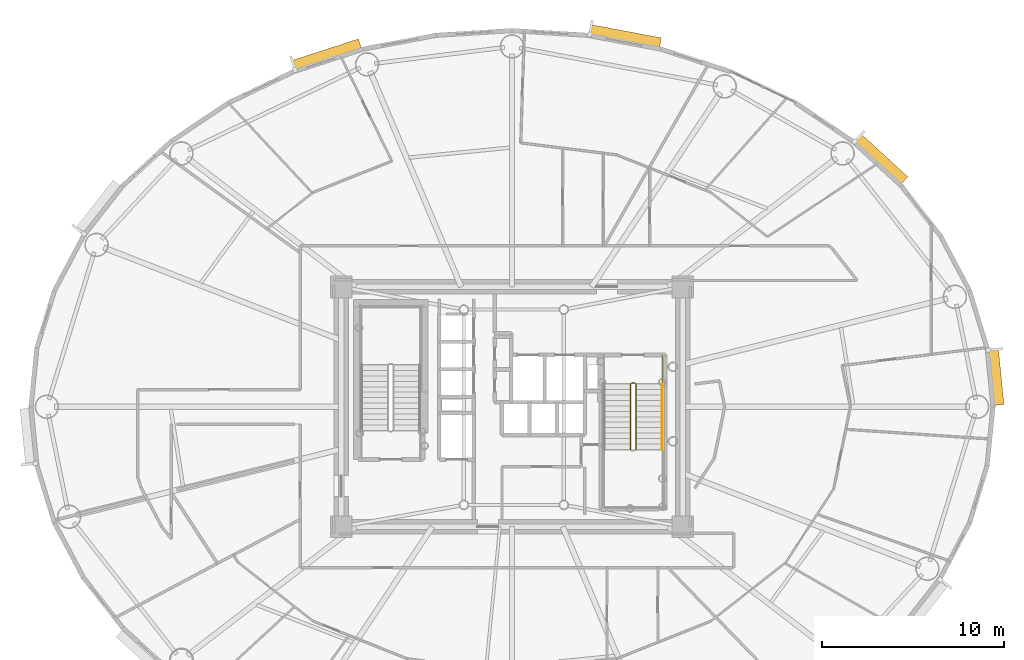
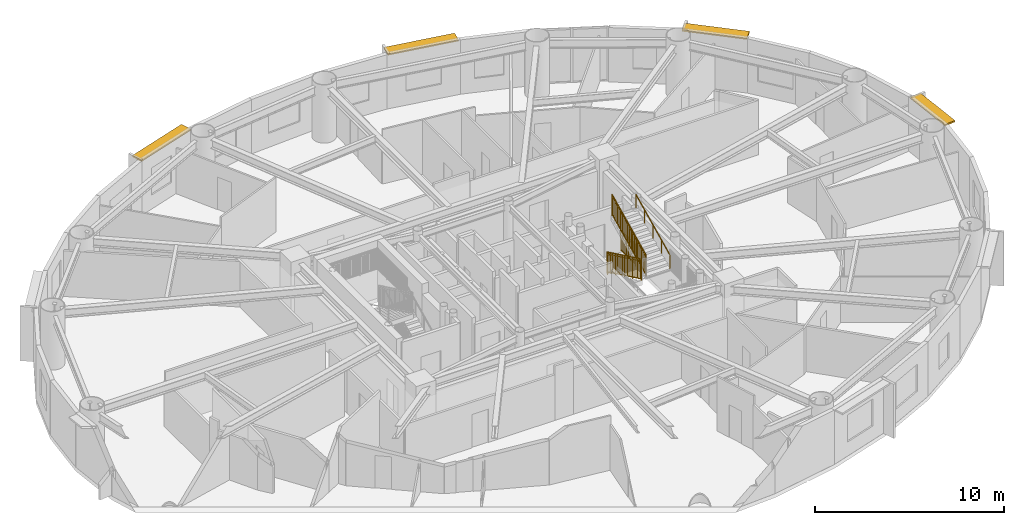
# One storey, part 17 of 17: 5 railings, 4 shading devices.
"""IFC4 building model written with IfcOpenShell, lengths in metres."""

from ifc_helpers import new_model, si_unit, direction, frame, origin, origin_2d, place, context, subcontext, project, spatial, rectangle, extrude, source, transform, mapped, material, layer, layer_set, type_object, element, save


model = new_model("IFC4")

# Units and contexts
model_context = context("Model", 3, precision=1e-05, world=origin(), true_north=direction((0.0, 1.0)))
body_context = subcontext(model_context, "Body", "Model", "MODEL_VIEW")
ifc_project = project(units=[si_unit("LENGTHUNIT", "METRE"), si_unit("AREAUNIT", "SQUARE_METRE"), si_unit("VOLUMEUNIT", "CUBIC_METRE"), si_unit("PLANEANGLEUNIT", "RADIAN"), si_unit("MASSUNIT", "GRAM", prefix="KILO")], contexts=[model_context])

# Site, building, storey
site_placement = place(None, origin())
site = spatial("IfcSite", under=ifc_project, at=site_placement, CompositionType="ELEMENT")
building_placement = place(site_placement, origin())
building = spatial("IfcBuilding", under=site, at=building_placement, Name="Linh Dai School and Residence Tower", CompositionType="ELEMENT")
storey_placement = place(building_placement, frame((0.0, 0.0, 197.39990234375)))
storey = spatial("IfcBuildingStorey", under=building, at=storey_placement, Name="L48", CompositionType="ELEMENT", Elevation=197.39990234375)

# Shading devices
ifc_material_1 = material(Name="Terracotta Ceramic Sunshade", Category="masonry")
ifc_layer = layer(ifc_material_1, 0.10009765625)
ifc_layer_set = layer_set([ifc_layer], Name="Terracotta Ceramic Sunshade")
shading_device_type = type_object("IfcShadingDeviceType", Name="SHD-TC-650", PredefinedType="USERDEFINED", material=ifc_layer_set)
shared_shape_1 = source(origin(), body_context, "Body", "SweptSolid", [
    extrude(rectangle(XDim=3.1201171875, YDim=0.64990234375, at=origin_2d()), origin(), (0.0, 0.0, 1.0), 0.10009765625),
])
shading_device_1_placement = place(storey_placement, frame((62.59619140625, 28.645263671875, 3.380126953125), z_axis=(0.0, 0.0, 1.0), x_axis=(0.100001796141, -0.994987256586, 0.0)))
element("IfcShadingDevice", 1, at=shading_device_1_placement, inside=storey, type_object=shading_device_type, Name="L48 Terracotta Horizontal Sunshade Band 01", ObjectType="SUNSHADE", PredefinedType="USERDEFINED", context=body_context, shape_type="MappedRepresentation", body=[
    mapped(shared_shape_1, transform((0.0, 0.0, 0.0), x_axis=(1.0, 0.0, 0.0), y_axis=(0.0, 1.0, 0.0), z_axis=(0.0, 0.0, 1.0), scale=1.0)),
])
shared_shape_2 = source(origin(), body_context, "Body", "SweptSolid", [
    extrude(rectangle(XDim=3.51171875, YDim=0.64990234375, at=origin_2d()), origin(), (0.0, 0.0, 1.0), 0.10009765625),
])
shading_device_2_placement = place(storey_placement, frame((56.272705078125, 40.604736328125, 3.380126953125), z_axis=(0.0, 0.0, 1.0), x_axis=(0.737085029426, -0.67580001435, 0.0)))
element("IfcShadingDevice", 2, at=shading_device_2_placement, inside=storey, type_object=shading_device_type, Name="L48 Terracotta Horizontal Sunshade Band 05", ObjectType="SUNSHADE", PredefinedType="USERDEFINED", context=body_context, shape_type="MappedRepresentation", body=[
    mapped(shared_shape_2, transform((0.0, 0.0, 0.0), x_axis=(1.0, 0.0, 0.0), y_axis=(0.0, 1.0, 0.0), z_axis=(0.0, 0.0, 1.0), scale=1.0)),
])
shared_shape_3 = source(origin(), body_context, "Body", "SweptSolid", [
    extrude(rectangle(XDim=3.949462890625, YDim=0.64990234375, at=origin_2d()), origin(), (0.0, 0.0, 1.0), 0.10009765625),
])
shading_device_3_placement = place(storey_placement, frame((42.219970703125, 47.349609375, 3.380126953125), z_axis=(0.0, 0.0, 1.0), x_axis=(0.982783192645, -0.184762540184, 0.0)))
element("IfcShadingDevice", 3, at=shading_device_3_placement, inside=storey, type_object=shading_device_type, Name="L48 Terracotta Horizontal Sunshade Band 09", ObjectType="SUNSHADE", PredefinedType="USERDEFINED", context=body_context, shape_type="MappedRepresentation", body=[
    mapped(shared_shape_3, transform((0.0, 0.0, 0.0), x_axis=(1.0, 0.0, 0.0), y_axis=(0.0, 1.0, 0.0), z_axis=(0.0, 0.0, 1.0), scale=1.0)),
])
shared_shape_4 = source(origin(), body_context, "Body", "SweptSolid", [
    extrude(rectangle(XDim=3.876220703125, YDim=0.64990234375, at=origin_2d()), origin(), (0.0, 0.0, 1.0), 0.10009765625),
])
shading_device_4_placement = place(storey_placement, frame((25.802734375, 46.337646484375, 3.380126953125), z_axis=(0.0, 0.0, 1.0), x_axis=(0.951212761419, 0.308535707031, 0.0)))
element("IfcShadingDevice", 4, at=shading_device_4_placement, inside=storey, type_object=shading_device_type, Name="L48 Terracotta Horizontal Sunshade Band 13", ObjectType="SUNSHADE", PredefinedType="USERDEFINED", context=body_context, shape_type="MappedRepresentation", body=[
    mapped(shared_shape_4, transform((0.0, 0.0, 0.0), x_axis=(1.0, 0.0, 0.0), y_axis=(0.0, 1.0, 0.0), z_axis=(0.0, 0.0, 1.0), scale=1.0)),
])

# Railings
ifc_material_2 = material(Name="Structural Steel S355JR", Category="steel")
railing_type_1 = type_object("IfcRailingType", Name="RL-ST-GUARD-1400", PredefinedType="GUARDRAIL", material=ifc_material_2)
shared_shape_5 = source(origin(), body_context, "Body", "SweptSolid", [
    extrude(rectangle(XDim=0.048095703125, YDim=0.048095703125, at=origin_2d()), frame((0.0, 0.0, 1.3759765625), z_axis=(0.0, 0.901262522062, 0.433273431364), x_axis=(-1.0, 0.0, 0.0)), (0.0, 0.0, 1.0), 3.994384765625),
    extrude(rectangle(XDim=0.048095703125, YDim=0.048095703125, at=origin_2d()), frame((0.0, 0.0, 0.10009765625), z_axis=(0.0, 0.901262522062, 0.433273431364), x_axis=(-1.0, 0.0, 0.0)), (0.0, 0.0, 1.0), 3.994384765625),
    extrude(rectangle(XDim=0.030029296875, YDim=0.030029296875, at=origin_2d()), frame((0.0, 0.0, 1.239990234375), z_axis=(0.0, 0.901262522062, 0.433273431364), x_axis=(-1.0, 0.0, 0.0)), (0.0, 0.0, 1.0), 3.994384765625),
    extrude(rectangle(XDim=0.02001953125, YDim=0.02001953125, at=origin_2d()), frame((0.0, 0.087890625, 0.142333984375)), (0.0, 0.0, 1.0), 1.251708984375),
    extrude(rectangle(XDim=0.02001953125, YDim=0.02001953125, at=origin_2d()), frame((0.0, 0.175537109375, 0.1845703125)), (0.0, 0.0, 1.0), 1.251708984375),
    extrude(rectangle(XDim=0.02001953125, YDim=0.02001953125, at=origin_2d()), frame((0.0, 0.263427734375, 0.226806640625)), (0.0, 0.0, 1.0), 1.251708984375),
    extrude(rectangle(XDim=0.02001953125, YDim=0.02001953125, at=origin_2d()), frame((0.0, 0.351318359375, 0.26904296875)), (0.0, 0.0, 1.0), 1.251708984375),
    extrude(rectangle(XDim=0.02001953125, YDim=0.02001953125, at=origin_2d()), frame((0.0, 0.43896484375, 0.311279296875)), (0.0, 0.0, 1.0), 1.251708984375),
    extrude(rectangle(XDim=0.02001953125, YDim=0.02001953125, at=origin_2d()), frame((0.0, 0.52685546875, 0.353271484375)), (0.0, 0.0, 1.0), 1.251708984375),
    extrude(rectangle(XDim=0.02001953125, YDim=0.02001953125, at=origin_2d()), frame((0.0, 0.61474609375, 0.3955078125)), (0.0, 0.0, 1.0), 1.251708984375),
    extrude(rectangle(XDim=0.02001953125, YDim=0.02001953125, at=origin_2d()), frame((0.0, 0.702392578125, 0.437744140625)), (0.0, 0.0, 1.0), 1.251708984375),
    extrude(rectangle(XDim=0.02001953125, YDim=0.02001953125, at=origin_2d()), frame((0.0, 0.790283203125, 0.47998046875)), (0.0, 0.0, 1.0), 1.251708984375),
    extrude(rectangle(XDim=0.02001953125, YDim=0.02001953125, at=origin_2d()), frame((0.0, 0.9658203125, 0.564453125)), (0.0, 0.0, 1.0), 1.251708984375),
    extrude(rectangle(XDim=0.02001953125, YDim=0.02001953125, at=origin_2d()), frame((0.0, 1.0537109375, 0.606689453125)), (0.0, 0.0, 1.0), 1.251708984375),
    extrude(rectangle(XDim=0.02001953125, YDim=0.02001953125, at=origin_2d()), frame((0.0, 1.1416015625, 0.64892578125)), (0.0, 0.0, 1.0), 1.251708984375),
    extrude(rectangle(XDim=0.02001953125, YDim=0.02001953125, at=origin_2d()), frame((0.0, 1.229248046875, 0.691162109375)), (0.0, 0.0, 1.0), 1.251708984375),
    extrude(rectangle(XDim=0.02001953125, YDim=0.02001953125, at=origin_2d()), frame((0.0, 1.317138671875, 0.7333984375)), (0.0, 0.0, 1.0), 1.251708984375),
    extrude(rectangle(XDim=0.02001953125, YDim=0.02001953125, at=origin_2d()), frame((0.0, 1.405029296875, 0.775390625)), (0.0, 0.0, 1.0), 1.251708984375),
    extrude(rectangle(XDim=0.02001953125, YDim=0.02001953125, at=origin_2d()), frame((0.0, 1.49267578125, 0.817626953125)), (0.0, 0.0, 1.0), 1.251708984375),
    extrude(rectangle(XDim=0.02001953125, YDim=0.02001953125, at=origin_2d()), frame((0.0, 1.58056640625, 0.85986328125)), (0.0, 0.0, 1.0), 1.251708984375),
    extrude(rectangle(XDim=0.02001953125, YDim=0.02001953125, at=origin_2d()), frame((0.0, 1.66845703125, 0.902099609375)), (0.0, 0.0, 1.0), 1.251708984375),
    extrude(rectangle(XDim=0.02001953125, YDim=0.02001953125, at=origin_2d()), frame((0.0, 1.756103515625, 0.9443359375)), (0.0, 0.0, 1.0), 1.251708984375),
    extrude(rectangle(XDim=0.02001953125, YDim=0.02001953125, at=origin_2d()), frame((0.0, 1.843994140625, 0.986572265625)), (0.0, 0.0, 1.0), 1.251708984375),
    extrude(rectangle(XDim=0.02001953125, YDim=0.02001953125, at=origin_2d()), frame((0.0, 1.931640625, 1.02880859375)), (0.0, 0.0, 1.0), 1.251708984375),
    extrude(rectangle(XDim=0.02001953125, YDim=0.02001953125, at=origin_2d()), frame((0.0, 2.01953125, 1.071044921875)), (0.0, 0.0, 1.0), 1.251708984375),
    extrude(rectangle(XDim=0.02001953125, YDim=0.02001953125, at=origin_2d()), frame((0.0, 2.107421875, 1.11328125)), (0.0, 0.0, 1.0), 1.251708984375),
    extrude(rectangle(XDim=0.02001953125, YDim=0.02001953125, at=origin_2d()), frame((0.0, 2.195068359375, 1.155517578125)), (0.0, 0.0, 1.0), 1.251708984375),
    extrude(rectangle(XDim=0.02001953125, YDim=0.02001953125, at=origin_2d()), frame((0.0, 2.282958984375, 1.197509765625)), (0.0, 0.0, 1.0), 1.251708984375),
    extrude(rectangle(XDim=0.02001953125, YDim=0.02001953125, at=origin_2d()), frame((0.0, 2.370849609375, 1.23974609375)), (0.0, 0.0, 1.0), 1.251708984375),
    extrude(rectangle(XDim=0.02001953125, YDim=0.02001953125, at=origin_2d()), frame((0.0, 2.45849609375, 1.281982421875)), (0.0, 0.0, 1.0), 1.251708984375),
    extrude(rectangle(XDim=0.02001953125, YDim=0.02001953125, at=origin_2d()), frame((0.0, 2.54638671875, 1.32421875)), (0.0, 0.0, 1.0), 1.251708984375),
    extrude(rectangle(XDim=0.02001953125, YDim=0.02001953125, at=origin_2d()), frame((0.0, 2.63427734375, 1.366455078125)), (0.0, 0.0, 1.0), 1.251708984375),
    extrude(rectangle(XDim=0.02001953125, YDim=0.02001953125, at=origin_2d()), frame((0.0, 2.809814453125, 1.450927734375)), (0.0, 0.0, 1.0), 1.251708984375),
    extrude(rectangle(XDim=0.02001953125, YDim=0.02001953125, at=origin_2d()), frame((0.0, 2.897705078125, 1.4931640625)), (0.0, 0.0, 1.0), 1.251708984375),
    extrude(rectangle(XDim=0.02001953125, YDim=0.02001953125, at=origin_2d()), frame((0.0, 2.9853515625, 1.535400390625)), (0.0, 0.0, 1.0), 1.251708984375),
    extrude(rectangle(XDim=0.02001953125, YDim=0.02001953125, at=origin_2d()), frame((0.0, 3.0732421875, 1.57763671875)), (0.0, 0.0, 1.0), 1.251708984375),
    extrude(rectangle(XDim=0.02001953125, YDim=0.02001953125, at=origin_2d()), frame((0.0, 3.1611328125, 1.61962890625)), (0.0, 0.0, 1.0), 1.251708984375),
    extrude(rectangle(XDim=0.02001953125, YDim=0.02001953125, at=origin_2d()), frame((0.0, 3.248779296875, 1.661865234375)), (0.0, 0.0, 1.0), 1.251708984375),
    extrude(rectangle(XDim=0.02001953125, YDim=0.02001953125, at=origin_2d()), frame((0.0, 3.336669921875, 1.7041015625)), (0.0, 0.0, 1.0), 1.251708984375),
    extrude(rectangle(XDim=0.02001953125, YDim=0.02001953125, at=origin_2d()), frame((0.0, 3.424560546875, 1.746337890625)), (0.0, 0.0, 1.0), 1.251708984375),
    extrude(rectangle(XDim=0.02001953125, YDim=0.02001953125, at=origin_2d()), frame((0.0, 3.51220703125, 1.78857421875)), (0.0, 0.0, 1.0), 1.251708984375),
    extrude(rectangle(XDim=0.0419921875, YDim=0.0419921875, at=origin_2d()), origin(), (0.0, 0.0, 1.0), 1.3759765625),
    extrude(rectangle(XDim=0.0419921875, YDim=0.0419921875, at=origin_2d()), frame((0.0, 0.89990234375, 0.4326171875)), (0.0, 0.0, 1.0), 1.3759765625),
    extrude(rectangle(XDim=0.0419921875, YDim=0.0419921875, at=origin_2d()), frame((0.0, 1.800048828125, 0.865234375)), (0.0, 0.0, 1.0), 1.3759765625),
    extrude(rectangle(XDim=0.0419921875, YDim=0.0419921875, at=origin_2d()), frame((0.0, 2.7001953125, 1.298095703125)), (0.0, 0.0, 1.0), 1.3759765625),
    extrude(rectangle(XDim=0.0419921875, YDim=0.0419921875, at=origin_2d()), frame((0.0, 3.60009765625, 1.730712890625)), (0.0, 0.0, 1.0), 1.3759765625),
])
railing_1_placement = place(storey_placement, frame((42.820068359375, 24.64990234375, 2.019287109375)))
element("IfcRailing", 5, at=railing_1_placement, inside=storey, type_object=railing_type_1, Name="L48 ST2 stair guard 6", PredefinedType="GUARDRAIL", context=body_context, shape_type="MappedRepresentation", body=[
    mapped(shared_shape_5, transform((0.0, 0.0, 0.0), x_axis=(1.0, 0.0, 0.0), y_axis=(0.0, 1.0, 0.0), z_axis=(0.0, 0.0, 1.0), scale=1.0)),
])
shared_shape_6 = source(origin(), body_context, "Body", "SweptSolid", [
    extrude(rectangle(XDim=0.048095703125, YDim=0.048095703125, at=origin_2d()), frame((0.0, 0.0, 1.3759765625), z_axis=(0.0, -0.901262522062, 0.433273431364), x_axis=(1.0, 0.0, 0.0)), (0.0, 0.0, 1.0), 3.994384765625),
    extrude(rectangle(XDim=0.048095703125, YDim=0.048095703125, at=origin_2d()), frame((0.0, 0.0, 0.10009765625), z_axis=(0.0, -0.901262522062, 0.433273431364), x_axis=(1.0, 0.0, 0.0)), (0.0, 0.0, 1.0), 3.994384765625),
    extrude(rectangle(XDim=0.030029296875, YDim=0.030029296875, at=origin_2d()), frame((0.0, 0.0, 1.239990234375), z_axis=(0.0, -0.901262522062, 0.433273431364), x_axis=(1.0, 0.0, 0.0)), (0.0, 0.0, 1.0), 3.994384765625),
    extrude(rectangle(XDim=0.02001953125, YDim=0.02001953125, at=origin_2d()), frame((0.0, -0.087890625, 0.142333984375)), (0.0, 0.0, 1.0), 1.251708984375),
    extrude(rectangle(XDim=0.02001953125, YDim=0.02001953125, at=origin_2d()), frame((0.0, -0.175537109375, 0.1845703125)), (0.0, 0.0, 1.0), 1.251708984375),
    extrude(rectangle(XDim=0.02001953125, YDim=0.02001953125, at=origin_2d()), frame((0.0, -0.263427734375, 0.226806640625)), (0.0, 0.0, 1.0), 1.251708984375),
    extrude(rectangle(XDim=0.02001953125, YDim=0.02001953125, at=origin_2d()), frame((0.0, -0.351318359375, 0.26904296875)), (0.0, 0.0, 1.0), 1.251708984375),
    extrude(rectangle(XDim=0.02001953125, YDim=0.02001953125, at=origin_2d()), frame((0.0, -0.43896484375, 0.311279296875)), (0.0, 0.0, 1.0), 1.251708984375),
    extrude(rectangle(XDim=0.02001953125, YDim=0.02001953125, at=origin_2d()), frame((0.0, -0.52685546875, 0.353271484375)), (0.0, 0.0, 1.0), 1.251708984375),
    extrude(rectangle(XDim=0.02001953125, YDim=0.02001953125, at=origin_2d()), frame((0.0, -0.61474609375, 0.3955078125)), (0.0, 0.0, 1.0), 1.251708984375),
    extrude(rectangle(XDim=0.02001953125, YDim=0.02001953125, at=origin_2d()), frame((0.0, -0.702392578125, 0.437744140625)), (0.0, 0.0, 1.0), 1.251708984375),
    extrude(rectangle(XDim=0.02001953125, YDim=0.02001953125, at=origin_2d()), frame((0.0, -0.790283203125, 0.47998046875)), (0.0, 0.0, 1.0), 1.251708984375),
    extrude(rectangle(XDim=0.02001953125, YDim=0.02001953125, at=origin_2d()), frame((0.0, -0.9658203125, 0.564453125)), (0.0, 0.0, 1.0), 1.251708984375),
    extrude(rectangle(XDim=0.02001953125, YDim=0.02001953125, at=origin_2d()), frame((0.0, -1.0537109375, 0.606689453125)), (0.0, 0.0, 1.0), 1.251708984375),
    extrude(rectangle(XDim=0.02001953125, YDim=0.02001953125, at=origin_2d()), frame((0.0, -1.1416015625, 0.64892578125)), (0.0, 0.0, 1.0), 1.251708984375),
    extrude(rectangle(XDim=0.02001953125, YDim=0.02001953125, at=origin_2d()), frame((0.0, -1.229248046875, 0.691162109375)), (0.0, 0.0, 1.0), 1.251708984375),
    extrude(rectangle(XDim=0.02001953125, YDim=0.02001953125, at=origin_2d()), frame((0.0, -1.317138671875, 0.7333984375)), (0.0, 0.0, 1.0), 1.251708984375),
    extrude(rectangle(XDim=0.02001953125, YDim=0.02001953125, at=origin_2d()), frame((0.0, -1.405029296875, 0.775390625)), (0.0, 0.0, 1.0), 1.251708984375),
    extrude(rectangle(XDim=0.02001953125, YDim=0.02001953125, at=origin_2d()), frame((0.0, -1.49267578125, 0.817626953125)), (0.0, 0.0, 1.0), 1.251708984375),
    extrude(rectangle(XDim=0.02001953125, YDim=0.02001953125, at=origin_2d()), frame((0.0, -1.58056640625, 0.85986328125)), (0.0, 0.0, 1.0), 1.251708984375),
    extrude(rectangle(XDim=0.02001953125, YDim=0.02001953125, at=origin_2d()), frame((0.0, -1.66845703125, 0.902099609375)), (0.0, 0.0, 1.0), 1.251708984375),
    extrude(rectangle(XDim=0.02001953125, YDim=0.02001953125, at=origin_2d()), frame((0.0, -1.756103515625, 0.9443359375)), (0.0, 0.0, 1.0), 1.251708984375),
    extrude(rectangle(XDim=0.02001953125, YDim=0.02001953125, at=origin_2d()), frame((0.0, -1.843994140625, 0.986572265625)), (0.0, 0.0, 1.0), 1.251708984375),
    extrude(rectangle(XDim=0.02001953125, YDim=0.02001953125, at=origin_2d()), frame((0.0, -1.931640625, 1.02880859375)), (0.0, 0.0, 1.0), 1.251708984375),
    extrude(rectangle(XDim=0.02001953125, YDim=0.02001953125, at=origin_2d()), frame((0.0, -2.01953125, 1.071044921875)), (0.0, 0.0, 1.0), 1.251708984375),
    extrude(rectangle(XDim=0.02001953125, YDim=0.02001953125, at=origin_2d()), frame((0.0, -2.107421875, 1.11328125)), (0.0, 0.0, 1.0), 1.251708984375),
    extrude(rectangle(XDim=0.02001953125, YDim=0.02001953125, at=origin_2d()), frame((0.0, -2.195068359375, 1.155517578125)), (0.0, 0.0, 1.0), 1.251708984375),
    extrude(rectangle(XDim=0.02001953125, YDim=0.02001953125, at=origin_2d()), frame((0.0, -2.282958984375, 1.197509765625)), (0.0, 0.0, 1.0), 1.251708984375),
    extrude(rectangle(XDim=0.02001953125, YDim=0.02001953125, at=origin_2d()), frame((0.0, -2.370849609375, 1.23974609375)), (0.0, 0.0, 1.0), 1.251708984375),
    extrude(rectangle(XDim=0.02001953125, YDim=0.02001953125, at=origin_2d()), frame((0.0, -2.45849609375, 1.281982421875)), (0.0, 0.0, 1.0), 1.251708984375),
    extrude(rectangle(XDim=0.02001953125, YDim=0.02001953125, at=origin_2d()), frame((0.0, -2.54638671875, 1.32421875)), (0.0, 0.0, 1.0), 1.251708984375),
    extrude(rectangle(XDim=0.02001953125, YDim=0.02001953125, at=origin_2d()), frame((0.0, -2.63427734375, 1.366455078125)), (0.0, 0.0, 1.0), 1.251708984375),
    extrude(rectangle(XDim=0.02001953125, YDim=0.02001953125, at=origin_2d()), frame((0.0, -2.809814453125, 1.450927734375)), (0.0, 0.0, 1.0), 1.251708984375),
    extrude(rectangle(XDim=0.02001953125, YDim=0.02001953125, at=origin_2d()), frame((0.0, -2.897705078125, 1.4931640625)), (0.0, 0.0, 1.0), 1.251708984375),
    extrude(rectangle(XDim=0.02001953125, YDim=0.02001953125, at=origin_2d()), frame((0.0, -2.9853515625, 1.535400390625)), (0.0, 0.0, 1.0), 1.251708984375),
    extrude(rectangle(XDim=0.02001953125, YDim=0.02001953125, at=origin_2d()), frame((0.0, -3.0732421875, 1.57763671875)), (0.0, 0.0, 1.0), 1.251708984375),
    extrude(rectangle(XDim=0.02001953125, YDim=0.02001953125, at=origin_2d()), frame((0.0, -3.1611328125, 1.61962890625)), (0.0, 0.0, 1.0), 1.251708984375),
    extrude(rectangle(XDim=0.02001953125, YDim=0.02001953125, at=origin_2d()), frame((0.0, -3.248779296875, 1.661865234375)), (0.0, 0.0, 1.0), 1.251708984375),
    extrude(rectangle(XDim=0.02001953125, YDim=0.02001953125, at=origin_2d()), frame((0.0, -3.336669921875, 1.7041015625)), (0.0, 0.0, 1.0), 1.251708984375),
    extrude(rectangle(XDim=0.02001953125, YDim=0.02001953125, at=origin_2d()), frame((0.0, -3.424560546875, 1.746337890625)), (0.0, 0.0, 1.0), 1.251708984375),
    extrude(rectangle(XDim=0.02001953125, YDim=0.02001953125, at=origin_2d()), frame((0.0, -3.51220703125, 1.78857421875)), (0.0, 0.0, 1.0), 1.251708984375),
    extrude(rectangle(XDim=0.0419921875, YDim=0.0419921875, at=origin_2d()), origin(), (0.0, 0.0, 1.0), 1.3759765625),
    extrude(rectangle(XDim=0.0419921875, YDim=0.0419921875, at=origin_2d()), frame((0.0, -0.89990234375, 0.4326171875)), (0.0, 0.0, 1.0), 1.3759765625),
    extrude(rectangle(XDim=0.0419921875, YDim=0.0419921875, at=origin_2d()), frame((0.0, -1.800048828125, 0.865234375)), (0.0, 0.0, 1.0), 1.3759765625),
    extrude(rectangle(XDim=0.0419921875, YDim=0.0419921875, at=origin_2d()), frame((0.0, -2.7001953125, 1.298095703125)), (0.0, 0.0, 1.0), 1.3759765625),
    extrude(rectangle(XDim=0.0419921875, YDim=0.0419921875, at=origin_2d()), frame((0.0, -3.60009765625, 1.730712890625)), (0.0, 0.0, 1.0), 1.3759765625),
])
railing_2_placement = place(storey_placement, frame((42.52001953125, 28.25, 0.144287109375)))
element("IfcRailing", 6, at=railing_2_placement, inside=storey, type_object=railing_type_1, Name="L48 ST2 stair guard 1", PredefinedType="GUARDRAIL", context=body_context, shape_type="MappedRepresentation", body=[
    mapped(shared_shape_6, transform((0.0, 0.0, 0.0), x_axis=(1.0, 0.0, 0.0), y_axis=(0.0, 1.0, 0.0), z_axis=(0.0, 0.0, 1.0), scale=1.0)),
])
ifc_material_3 = material(Name="Brushed Stainless Steel Handrail", Category="steel")
railing_type_2 = type_object("IfcRailingType", Name="RL-ST-HANDRAIL-900", PredefinedType="HANDRAIL", material=ifc_material_3)
shared_shape_7 = source(origin(), body_context, "Body", "SweptSolid", [
    extrude(rectangle(XDim=0.048095703125, YDim=0.048095703125, at=origin_2d()), frame((0.0, 0.0, 0.8759765625), z_axis=(0.0, 0.901262522062, 0.433273431364), x_axis=(-1.0, 0.0, 0.0)), (0.0, 0.0, 1.0), 3.994384765625),
    extrude(rectangle(XDim=0.0419921875, YDim=0.0419921875, at=origin_2d()), origin(), (0.0, 0.0, 1.0), 0.8759765625),
    extrude(rectangle(XDim=0.0419921875, YDim=0.0419921875, at=origin_2d()), frame((0.0, 0.89990234375, 0.4326171875)), (0.0, 0.0, 1.0), 0.8759765625),
    extrude(rectangle(XDim=0.0419921875, YDim=0.0419921875, at=origin_2d()), frame((0.0, 1.800048828125, 0.865234375)), (0.0, 0.0, 1.0), 0.8759765625),
    extrude(rectangle(XDim=0.0419921875, YDim=0.0419921875, at=origin_2d()), frame((0.0, 2.7001953125, 1.298095703125)), (0.0, 0.0, 1.0), 0.8759765625),
    extrude(rectangle(XDim=0.0419921875, YDim=0.0419921875, at=origin_2d()), frame((0.0, 3.60009765625, 1.730712890625)), (0.0, 0.0, 1.0), 0.8759765625),
])
railing_3_placement = place(storey_placement, frame((44.27001953125, 24.64990234375, 2.019287109375)))
element("IfcRailing", 7, at=railing_3_placement, inside=storey, type_object=railing_type_2, Name="L48 ST2 stair handrail 2", PredefinedType="HANDRAIL", context=body_context, shape_type="MappedRepresentation", body=[
    mapped(shared_shape_7, transform((0.0, 0.0, 0.0), x_axis=(1.0, 0.0, 0.0), y_axis=(0.0, 1.0, 0.0), z_axis=(0.0, 0.0, 1.0), scale=1.0)),
])
shared_shape_8 = source(origin(), body_context, "Body", "SweptSolid", [
    extrude(rectangle(XDim=0.048095703125, YDim=0.048095703125, at=origin_2d()), frame((0.0, 0.0, 1.3759765625), z_axis=(1.0, 0.0, 0.0), x_axis=(0.0, 1.0, 0.0)), (0.0, 0.0, 1.0), 0.199951171875),
    extrude(rectangle(XDim=0.048095703125, YDim=0.048095703125, at=origin_2d()), frame((0.0, 0.0, 0.10009765625), z_axis=(1.0, 0.0, 0.0), x_axis=(0.0, 1.0, 0.0)), (0.0, 0.0, 1.0), 0.199951171875),
    extrude(rectangle(XDim=0.030029296875, YDim=0.030029296875, at=origin_2d()), frame((0.0, 0.0, 1.239990234375), z_axis=(1.0, 0.0, 0.0), x_axis=(0.0, 1.0, 0.0)), (0.0, 0.0, 1.0), 0.199951171875),
    extrude(rectangle(XDim=0.0419921875, YDim=0.0419921875, at=origin_2d()), origin(), (0.0, 0.0, 1.0), 1.3759765625),
    extrude(rectangle(XDim=0.0419921875, YDim=0.0419921875, at=origin_2d()), frame((0.199951171875, 0.0, 0.0)), (0.0, 0.0, 1.0), 1.3759765625),
])
railing_4_placement = place(storey_placement, frame((42.570068359375, 28.300048828125, 0.0)))
element("IfcRailing", 8, at=railing_4_placement, inside=storey, type_object=railing_type_1, Name="L48 ST2 stair guard 7", PredefinedType="GUARDRAIL", context=body_context, shape_type="MappedRepresentation", body=[
    mapped(shared_shape_8, transform((0.0, 0.0, 0.0), x_axis=(1.0, 0.0, 0.0), y_axis=(0.0, 1.0, 0.0), z_axis=(0.0, 0.0, 1.0), scale=1.0)),
])
shared_shape_9 = source(origin(), body_context, "Body", "SweptSolid", [
    extrude(rectangle(XDim=0.048095703125, YDim=0.048095703125, at=origin_2d()), frame((0.0, 0.0, 1.3759765625), z_axis=(0.0, -1.0, 0.0), x_axis=(1.0, 0.0, 0.0)), (0.0, 0.0, 1.0), 1.60009765625),
    extrude(rectangle(XDim=0.048095703125, YDim=0.048095703125, at=origin_2d()), frame((0.0, 0.0, 0.10009765625), z_axis=(0.0, -1.0, 0.0), x_axis=(1.0, 0.0, 0.0)), (0.0, 0.0, 1.0), 1.60009765625),
    extrude(rectangle(XDim=0.030029296875, YDim=0.030029296875, at=origin_2d()), frame((0.0, 0.0, 1.239990234375), z_axis=(0.0, -1.0, 0.0), x_axis=(1.0, 0.0, 0.0)), (0.0, 0.0, 1.0), 1.60009765625),
    extrude(rectangle(XDim=0.02001953125, YDim=0.02001953125, at=origin_2d()), frame((0.0, -0.09423828125, 0.10009765625)), (0.0, 0.0, 1.0), 1.251708984375),
    extrude(rectangle(XDim=0.02001953125, YDim=0.02001953125, at=origin_2d()), frame((0.0, -0.188232421875, 0.10009765625)), (0.0, 0.0, 1.0), 1.251708984375),
    extrude(rectangle(XDim=0.02001953125, YDim=0.02001953125, at=origin_2d()), frame((0.0, -0.282470703125, 0.10009765625)), (0.0, 0.0, 1.0), 1.251708984375),
    extrude(rectangle(XDim=0.02001953125, YDim=0.02001953125, at=origin_2d()), frame((0.0, -0.37646484375, 0.10009765625)), (0.0, 0.0, 1.0), 1.251708984375),
    extrude(rectangle(XDim=0.02001953125, YDim=0.02001953125, at=origin_2d()), frame((0.0, -0.470703125, 0.10009765625)), (0.0, 0.0, 1.0), 1.251708984375),
    extrude(rectangle(XDim=0.02001953125, YDim=0.02001953125, at=origin_2d()), frame((0.0, -0.564697265625, 0.10009765625)), (0.0, 0.0, 1.0), 1.251708984375),
    extrude(rectangle(XDim=0.02001953125, YDim=0.02001953125, at=origin_2d()), frame((0.0, -0.658935546875, 0.10009765625)), (0.0, 0.0, 1.0), 1.251708984375),
    extrude(rectangle(XDim=0.02001953125, YDim=0.02001953125, at=origin_2d()), frame((0.0, -0.7529296875, 0.10009765625)), (0.0, 0.0, 1.0), 1.251708984375),
    extrude(rectangle(XDim=0.02001953125, YDim=0.02001953125, at=origin_2d()), frame((0.0, -0.84716796875, 0.10009765625)), (0.0, 0.0, 1.0), 1.251708984375),
    extrude(rectangle(XDim=0.02001953125, YDim=0.02001953125, at=origin_2d()), frame((0.0, -0.941162109375, 0.10009765625)), (0.0, 0.0, 1.0), 1.251708984375),
    extrude(rectangle(XDim=0.02001953125, YDim=0.02001953125, at=origin_2d()), frame((0.0, -1.035400390625, 0.10009765625)), (0.0, 0.0, 1.0), 1.251708984375),
    extrude(rectangle(XDim=0.02001953125, YDim=0.02001953125, at=origin_2d()), frame((0.0, -1.12939453125, 0.10009765625)), (0.0, 0.0, 1.0), 1.251708984375),
    extrude(rectangle(XDim=0.02001953125, YDim=0.02001953125, at=origin_2d()), frame((0.0, -1.2236328125, 0.10009765625)), (0.0, 0.0, 1.0), 1.251708984375),
    extrude(rectangle(XDim=0.02001953125, YDim=0.02001953125, at=origin_2d()), frame((0.0, -1.317626953125, 0.10009765625)), (0.0, 0.0, 1.0), 1.251708984375),
    extrude(rectangle(XDim=0.02001953125, YDim=0.02001953125, at=origin_2d()), frame((0.0, -1.411865234375, 0.10009765625)), (0.0, 0.0, 1.0), 1.251708984375),
    extrude(rectangle(XDim=0.02001953125, YDim=0.02001953125, at=origin_2d()), frame((0.0, -1.505859375, 0.10009765625)), (0.0, 0.0, 1.0), 1.251708984375),
    extrude(rectangle(XDim=0.0419921875, YDim=0.0419921875, at=origin_2d()), origin(), (0.0, 0.0, 1.0), 1.3759765625),
    extrude(rectangle(XDim=0.0419921875, YDim=0.0419921875, at=origin_2d()), frame((0.0, -0.800048828125, 0.0)), (0.0, 0.0, 1.0), 1.3759765625),
    extrude(rectangle(XDim=0.0419921875, YDim=0.0419921875, at=origin_2d()), frame((0.0, -1.60009765625, 0.0)), (0.0, 0.0, 1.0), 1.3759765625),
])
railing_5_placement = place(storey_placement, frame((44.27001953125, 29.85009765625, 0.0)))
element("IfcRailing", 9, at=railing_5_placement, inside=storey, type_object=railing_type_1, Name="L48 ST2 stair guard 9", PredefinedType="GUARDRAIL", context=body_context, shape_type="MappedRepresentation", body=[
    mapped(shared_shape_9, transform((0.0, 0.0, 0.0), x_axis=(1.0, 0.0, 0.0), y_axis=(0.0, 1.0, 0.0), z_axis=(0.0, 0.0, 1.0), scale=1.0)),
])

save(model, "model.ifc")
